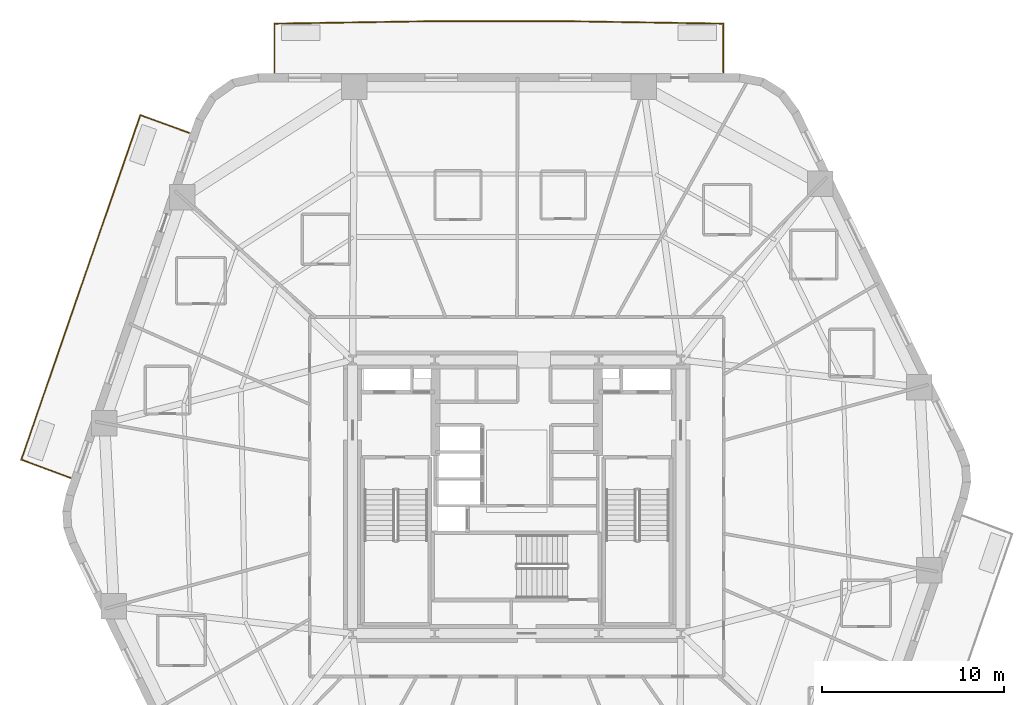
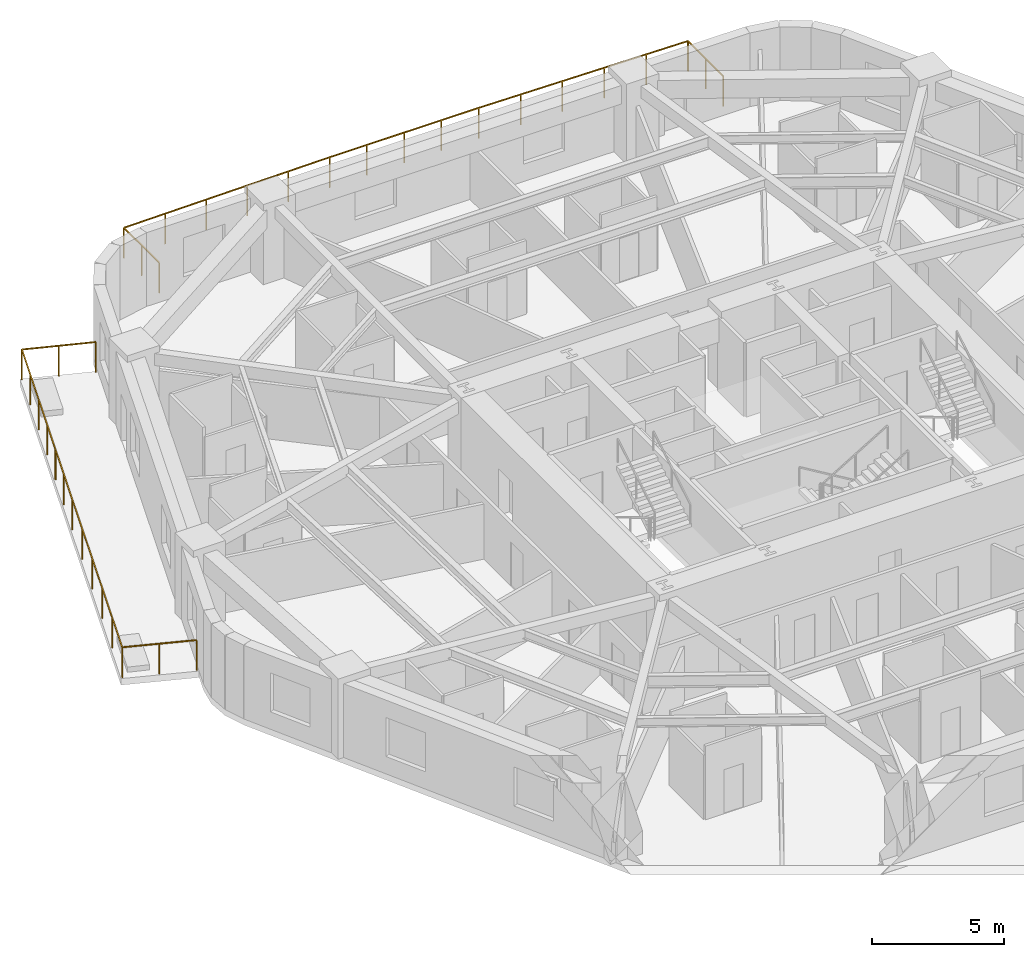
# One storey, part 11 of 11: 2 railings.
"""IFC4 building model written with IfcOpenShell, lengths in metres."""

from ifc_helpers import new_model, si_unit, direction, frame, origin, origin_2d, place, context, subcontext, project, spatial, rectangle, extrude, material, layer, layer_set, type_object, element, save


model = new_model("IFC4")

# Units and contexts
model_context = context("Model", 3, precision=1e-05, world=origin(), true_north=direction((0.0, 1.0)))
body_context = subcontext(model_context, "Body", "Model", "MODEL_VIEW")
ifc_project = project(units=[si_unit("LENGTHUNIT", "METRE"), si_unit("AREAUNIT", "SQUARE_METRE"), si_unit("VOLUMEUNIT", "CUBIC_METRE"), si_unit("PLANEANGLEUNIT", "RADIAN"), si_unit("MASSUNIT", "GRAM", prefix="KILO")], contexts=[model_context])

# Site, building, storey
site_placement = place(None, origin())
site = spatial("IfcSite", under=ifc_project, at=site_placement, CompositionType="ELEMENT")
building_placement = place(site_placement, origin())
building = spatial("IfcBuilding", under=site, at=building_placement, Name="Kilnhurst Terrace Hotel", CompositionType="ELEMENT")
storey_placement = place(building_placement, frame((0.0, 0.0, 34.199951171875)))
storey = spatial("IfcBuildingStorey", under=building, at=storey_placement, Name="L06", CompositionType="ELEMENT", Elevation=34.199951171875)

# Railings
ifc_material = material(Name="Laminated SentryGlas and Stainless Steel AISI 316L Balustrade", Category="steel")
ifc_layer = layer(ifc_material, 0.070068359375, Name="Laminated SentryGlas and Stainless Steel AISI 316L Balustrade")
ifc_layer_set = layer_set([ifc_layer], Name="Laminated SentryGlas and Stainless Steel AISI 316L Balustrade")
railing_type = type_object("IfcRailingType", Name="RLG-BAL-1420", PredefinedType="BALUSTRADE", material=ifc_layer_set)
railing_1_placement = place(storey_placement, frame((-13.281494140625, 23.280029296875, 0.0)))
element("IfcRailing", 1, at=railing_1_placement, inside=storey, type_object=railing_type, Name="L06 Exterior Terrace Guardrail BAL-L2A.1", PredefinedType="BALUSTRADE", context=body_context, shape_type="SweptSolid", body=[
    extrude(rectangle(XDim=0.048095703125, YDim=0.048095703125, at=origin_2d()), frame((0.0, 0.0, 1.39599609375), z_axis=(0.0, 1.0, 0.0), x_axis=(-1.0, 0.0, 0.0)), (0.0, 0.0, 1.0), 2.660888671875),
    extrude(rectangle(XDim=0.048095703125, YDim=0.048095703125, at=origin_2d()), frame((0.0, 2.660888671875, 1.39599609375), z_axis=(0.999881869157, 0.015370352358, 0.0), x_axis=(-0.015370352358, 0.999881869157, 0.0)), (0.0, 0.0, 1.0), 9.0537109375),
    extrude(rectangle(XDim=0.048095703125, YDim=0.048095703125, at=origin_2d()), frame((9.052734375, 2.800048828125, 1.39599609375), z_axis=(1.0, 0.0, 0.0), x_axis=(0.0, 1.0, 0.0)), (0.0, 0.0, 1.0), 6.508056640625),
    extrude(rectangle(XDim=0.048095703125, YDim=0.048095703125, at=origin_2d()), frame((15.560791015625, 2.800048828125, 1.39599609375), z_axis=(0.999881869157, -0.015370352358, 0.0), x_axis=(0.015370352358, 0.999881869157, 0.0)), (0.0, 0.0, 1.0), 9.0537109375),
    extrude(rectangle(XDim=0.048095703125, YDim=0.048095703125, at=origin_2d()), frame((24.613525390625, 2.660888671875, 1.39599609375), z_axis=(0.0, -1.0, 0.0), x_axis=(1.0, 0.0, 0.0)), (0.0, 0.0, 1.0), 2.660888671875),
    extrude(rectangle(XDim=0.0419921875, YDim=0.0419921875, at=origin_2d()), origin(), (0.0, 0.0, 1.0), 1.371826171875),
    extrude(rectangle(XDim=0.0419921875, YDim=0.0419921875, at=origin_2d()), frame((0.0, 1.33056640625, 0.0)), (0.0, 0.0, 1.0), 1.371826171875),
    extrude(rectangle(XDim=0.0419921875, YDim=0.0419921875, at=origin_2d()), frame((0.0, 2.660888671875, 0.0)), (0.0, 0.0, 1.0), 1.371826171875),
    extrude(rectangle(XDim=0.0419921875, YDim=0.0419921875, at=origin_2d()), frame((1.810546875, 2.688720703125, 0.0)), (0.0, 0.0, 1.0), 1.371826171875),
    extrude(rectangle(XDim=0.0419921875, YDim=0.0419921875, at=origin_2d()), frame((3.62109375, 2.716552734375, 0.0)), (0.0, 0.0, 1.0), 1.371826171875),
    extrude(rectangle(XDim=0.0419921875, YDim=0.0419921875, at=origin_2d()), frame((5.431640625, 2.744384765625, 0.0)), (0.0, 0.0, 1.0), 1.371826171875),
    extrude(rectangle(XDim=0.0419921875, YDim=0.0419921875, at=origin_2d()), frame((7.2421875, 2.772216796875, 0.0)), (0.0, 0.0, 1.0), 1.371826171875),
    extrude(rectangle(XDim=0.0419921875, YDim=0.0419921875, at=origin_2d()), frame((9.052734375, 2.800048828125, 0.0)), (0.0, 0.0, 1.0), 1.371826171875),
    extrude(rectangle(XDim=0.0419921875, YDim=0.0419921875, at=origin_2d()), frame((10.6796875, 2.800048828125, 0.0)), (0.0, 0.0, 1.0), 1.371826171875),
    extrude(rectangle(XDim=0.0419921875, YDim=0.0419921875, at=origin_2d()), frame((12.306640625, 2.800048828125, 0.0)), (0.0, 0.0, 1.0), 1.371826171875),
    extrude(rectangle(XDim=0.0419921875, YDim=0.0419921875, at=origin_2d()), frame((13.933837890625, 2.800048828125, 0.0)), (0.0, 0.0, 1.0), 1.371826171875),
    extrude(rectangle(XDim=0.0419921875, YDim=0.0419921875, at=origin_2d()), frame((15.560791015625, 2.800048828125, 0.0)), (0.0, 0.0, 1.0), 1.371826171875),
    extrude(rectangle(XDim=0.0419921875, YDim=0.0419921875, at=origin_2d()), frame((17.371337890625, 2.772216796875, 0.0)), (0.0, 0.0, 1.0), 1.371826171875),
    extrude(rectangle(XDim=0.0419921875, YDim=0.0419921875, at=origin_2d()), frame((19.181884765625, 2.744384765625, 0.0)), (0.0, 0.0, 1.0), 1.371826171875),
    extrude(rectangle(XDim=0.0419921875, YDim=0.0419921875, at=origin_2d()), frame((20.992431640625, 2.716552734375, 0.0)), (0.0, 0.0, 1.0), 1.371826171875),
    extrude(rectangle(XDim=0.0419921875, YDim=0.0419921875, at=origin_2d()), frame((22.802978515625, 2.688720703125, 0.0)), (0.0, 0.0, 1.0), 1.371826171875),
    extrude(rectangle(XDim=0.0419921875, YDim=0.0419921875, at=origin_2d()), frame((24.613525390625, 2.660888671875, 0.0)), (0.0, 0.0, 1.0), 1.371826171875),
    extrude(rectangle(XDim=0.0419921875, YDim=0.0419921875, at=origin_2d()), frame((24.613525390625, 1.33056640625, 0.0)), (0.0, 0.0, 1.0), 1.371826171875),
    extrude(rectangle(XDim=0.0419921875, YDim=0.0419921875, at=origin_2d()), frame((24.613525390625, 0.0, 0.0)), (0.0, 0.0, 1.0), 1.371826171875),
])
railing_2_placement = place(storey_placement, frame((-24.485107421875, 1.041748046875, 0.0)))
element("IfcRailing", 2, at=railing_2_placement, inside=storey, type_object=railing_type, Name="L06 Exterior Terrace Guardrail BAL-L2B.1", PredefinedType="BALUSTRADE", context=body_context, shape_type="SweptSolid", body=[
    extrude(rectangle(XDim=0.048095703125, YDim=0.048095703125, at=origin_2d()), frame((0.0, 0.0, 1.39599609375), z_axis=(-0.937279097592, 0.348579823308, 0.0), x_axis=(-0.348579823308, -0.937279097592, 0.0)), (0.0, 0.0, 1.0), 2.85205078125),
    extrude(rectangle(XDim=0.048095703125, YDim=0.048095703125, at=origin_2d()), frame((-2.673095703125, 0.994140625, 1.39599609375), z_axis=(0.326159116329, 0.945314884488, 0.0), x_axis=(-0.945314884488, 0.326159116329, 0.0)), (0.0, 0.0, 1.0), 9.91650390625),
    extrude(rectangle(XDim=0.048095703125, YDim=0.048095703125, at=origin_2d()), frame((0.561279296875, 10.368408203125, 1.39599609375), z_axis=(0.326903959129, 0.945057565181, 0.0), x_axis=(-0.945057565181, 0.326903959129, 0.0)), (0.0, 0.0, 1.0), 10.065673828125),
    extrude(rectangle(XDim=0.048095703125, YDim=0.048095703125, at=origin_2d()), frame((3.851806640625, 19.881103515625, 1.39599609375), z_axis=(0.939926315563, -0.341377388402, 0.0), x_axis=(0.341377388402, 0.939926315563, 0.0)), (0.0, 0.0, 1.0), 2.84130859375),
    extrude(rectangle(XDim=0.0419921875, YDim=0.0419921875, at=origin_2d()), origin(), (0.0, 0.0, 1.0), 1.371826171875),
    extrude(rectangle(XDim=0.0419921875, YDim=0.0419921875, at=origin_2d()), frame((-1.33642578125, 0.4970703125, 0.0)), (0.0, 0.0, 1.0), 1.371826171875),
    extrude(rectangle(XDim=0.0419921875, YDim=0.0419921875, at=origin_2d()), frame((-2.673095703125, 0.994140625, 0.0)), (0.0, 0.0, 1.0), 1.371826171875),
    extrude(rectangle(XDim=0.0419921875, YDim=0.0419921875, at=origin_2d()), frame((-2.026123046875, 2.868896484375, 0.0)), (0.0, 0.0, 1.0), 1.371826171875),
    extrude(rectangle(XDim=0.0419921875, YDim=0.0419921875, at=origin_2d()), frame((-1.37939453125, 4.743896484375, 0.0)), (0.0, 0.0, 1.0), 1.371826171875),
    extrude(rectangle(XDim=0.0419921875, YDim=0.0419921875, at=origin_2d()), frame((-0.732421875, 6.61865234375, 0.0)), (0.0, 0.0, 1.0), 1.371826171875),
    extrude(rectangle(XDim=0.0419921875, YDim=0.0419921875, at=origin_2d()), frame((-0.085693359375, 8.49365234375, 0.0)), (0.0, 0.0, 1.0), 1.371826171875),
    extrude(rectangle(XDim=0.0419921875, YDim=0.0419921875, at=origin_2d()), frame((0.561279296875, 10.368408203125, 0.0)), (0.0, 0.0, 1.0), 1.371826171875),
    extrude(rectangle(XDim=0.0419921875, YDim=0.0419921875, at=origin_2d()), frame((1.109619140625, 11.953857421875, 0.0)), (0.0, 0.0, 1.0), 1.371826171875),
    extrude(rectangle(XDim=0.0419921875, YDim=0.0419921875, at=origin_2d()), frame((1.658203125, 13.539306640625, 0.0)), (0.0, 0.0, 1.0), 1.371826171875),
    extrude(rectangle(XDim=0.0419921875, YDim=0.0419921875, at=origin_2d()), frame((2.20654296875, 15.124755859375, 0.0)), (0.0, 0.0, 1.0), 1.371826171875),
    extrude(rectangle(XDim=0.0419921875, YDim=0.0419921875, at=origin_2d()), frame((2.7548828125, 16.710205078125, 0.0)), (0.0, 0.0, 1.0), 1.371826171875),
    extrude(rectangle(XDim=0.0419921875, YDim=0.0419921875, at=origin_2d()), frame((3.303466796875, 18.295654296875, 0.0)), (0.0, 0.0, 1.0), 1.371826171875),
    extrude(rectangle(XDim=0.0419921875, YDim=0.0419921875, at=origin_2d()), frame((3.851806640625, 19.881103515625, 0.0)), (0.0, 0.0, 1.0), 1.371826171875),
    extrude(rectangle(XDim=0.0419921875, YDim=0.0419921875, at=origin_2d()), frame((5.18701171875, 19.39599609375, 0.0)), (0.0, 0.0, 1.0), 1.371826171875),
    extrude(rectangle(XDim=0.0419921875, YDim=0.0419921875, at=origin_2d()), frame((6.5224609375, 18.9111328125, 0.0)), (0.0, 0.0, 1.0), 1.371826171875),
])

save(model, "model.ifc")
